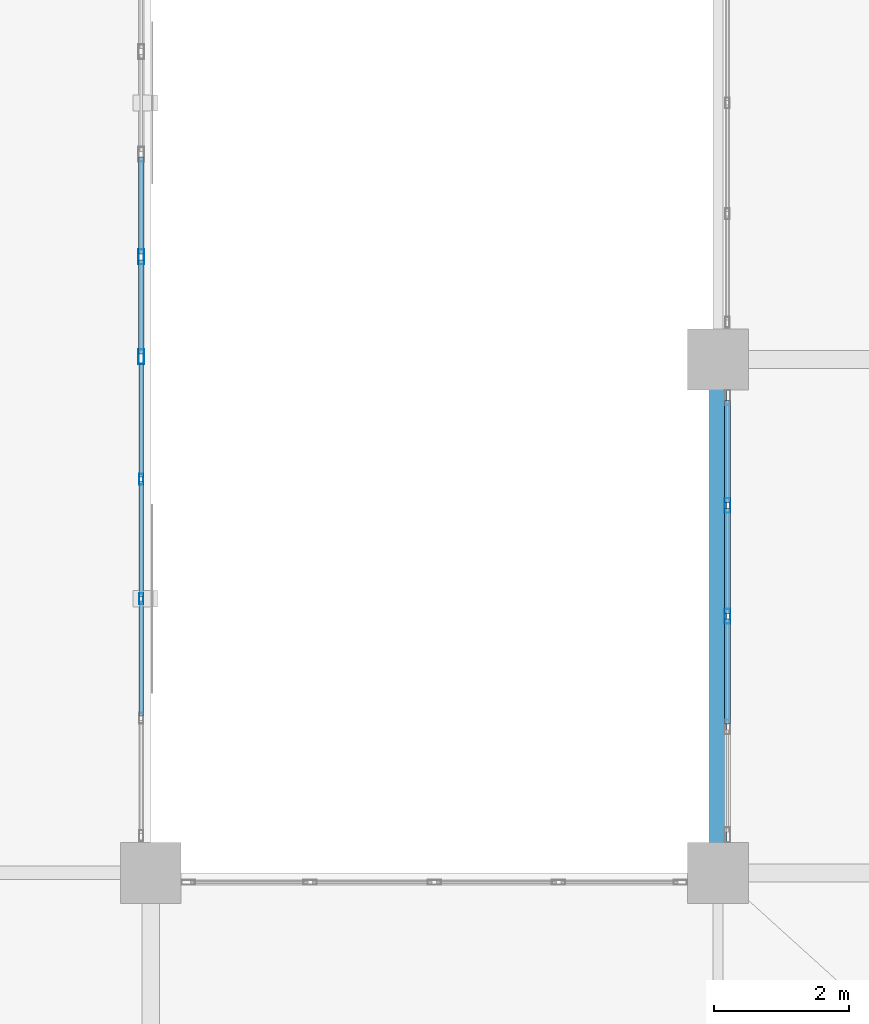
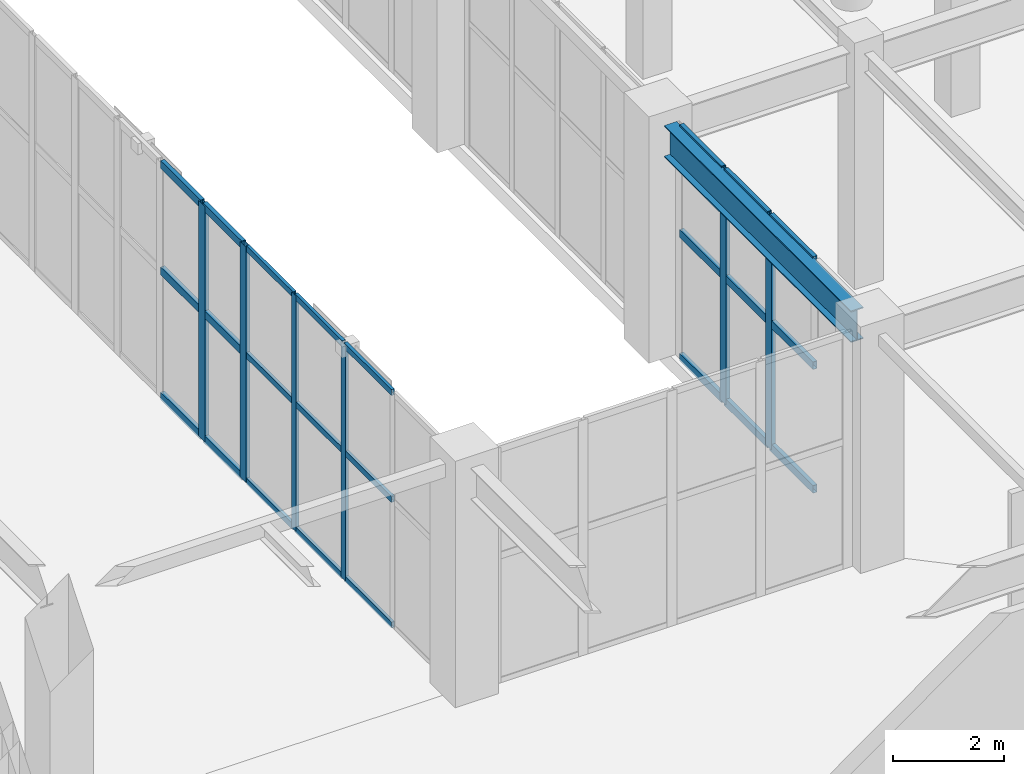
# One storey, part 24 of 139: 30 members, 1 beam, 3 elements without a shape of their own.
"""IFC4 building model written with IfcOpenShell, lengths in metres."""

import ifcopenshell
import ifcopenshell.guid

model = None  # the IFC model being written
_history = None  # IfcOwnerHistory: only IFC2X3 demands one
_inside = {}  # id of a spatial element -> (the spatial element, [elements in it])
_under = {}  # id of a project, library or spatial element -> (it, [spatial elements below it])
_declared = {}  # id of a project -> (the project, [libraries it declares])
_typed = {}  # id of a type object -> (the type object, [elements of that type])
_made_of = {}  # id of a material, layer set ... -> (it, [elements and type objects made of it])


def new_model(schema):
    """Start an empty IFC model of exactly this schema.

    Asked for "IFC4X3", IfcOpenShell would pick the latest addendum, in which some entities
    have other attributes; the version numbers below select the first issue.
    IFC2X3 requires an IfcOwnerHistory on every rooted entity: one is made here for all.
    """
    global model, _history
    if schema == "IFC4X3":
        model = ifcopenshell.file(schema_version=(4, 3, 0, 0))
    else:
        model = ifcopenshell.file(schema=schema)
    _inside.clear()
    _under.clear()
    _declared.clear()
    _typed.clear()
    _made_of.clear()
    _history = None
    if model.schema == "IFC2X3":
        org = make("IfcOrganization", Name="unknown")
        user = make(
            "IfcPersonAndOrganization",
            ThePerson=make("IfcPerson", FamilyName="unknown"),
            TheOrganization=org,
        )
        app = make(
            "IfcApplication",
            ApplicationDeveloper=org,
            Version="unknown",
            ApplicationFullName="unknown",
            ApplicationIdentifier="unknown",
        )
        _history = make(
            "IfcOwnerHistory",
            OwningUser=user,
            OwningApplication=app,
            ChangeAction="ADDED",
            CreationDate=0,
        )
    return model


def make(cls, **values):
    """One entity of the class cls with the attributes given. An attribute that is None is left unset."""
    return model.create_entity(
        cls, **{name: value for name, value in values.items() if value is not None}
    )


def rooted(cls, **values):
    """An entity with a GlobalId (a new one), such as an element, a storey or a relation."""
    return make(cls, GlobalId=ifcopenshell.guid.new(), OwnerHistory=_history, **values)


def si_unit(unit_type, name, prefix=None):
    """IfcSIUnit, for example si_unit("LENGTHUNIT", "METRE", prefix="MILLI")."""
    return make("IfcSIUnit", UnitType=unit_type, Prefix=prefix, Name=name)


def assignment(units):
    """IfcUnitAssignment: the units of a project."""
    return None if units is None else make("IfcUnitAssignment", Units=units)


def point(xyz):
    """IfcCartesianPoint."""
    return None if xyz is None else make("IfcCartesianPoint", Coordinates=xyz)


def direction(xyz):
    """IfcDirection."""
    return None if xyz is None else make("IfcDirection", DirectionRatios=xyz)


def frame(location, z_axis=None, x_axis=None):
    """IfcAxis2Placement3D, a coordinate frame: its origin and axes. An axis left out is left unset."""
    return make(
        "IfcAxis2Placement3D",
        Location=point(location),
        Axis=direction(z_axis),
        RefDirection=direction(x_axis),
    )


def frame_2d(location, x_axis=None):
    """IfcAxis2Placement2D, a coordinate frame in the plane: its origin and x axis."""
    return make(
        "IfcAxis2Placement2D", Location=point(location), RefDirection=direction(x_axis)
    )


def origin():
    """The frame at (0, 0, 0) with its axes left unset."""
    return frame((0.0, 0.0, 0.0))


def origin_2d():
    """The frame at (0, 0) in the plane with its x axis left unset."""
    return frame_2d((0.0, 0.0))


def place(relative_to, where):
    """IfcLocalPlacement: puts the frame where relative to a parent placement (None: the world)."""
    return make(
        "IfcLocalPlacement", PlacementRelTo=relative_to, RelativePlacement=where
    )


def context(
    kind, dimensions, precision=None, world=None, true_north=None, identifier=None
):
    """IfcGeometricRepresentationContext, for example the 3D "Model" context."""
    return make(
        "IfcGeometricRepresentationContext",
        ContextIdentifier=identifier,
        ContextType=kind,
        CoordinateSpaceDimension=dimensions,
        Precision=precision,
        WorldCoordinateSystem=world,
        TrueNorth=true_north,
    )


def subcontext(parent, identifier, kind, view, scale=None):
    """IfcGeometricRepresentationSubContext, for example "Body" below "Model"."""
    return make(
        "IfcGeometricRepresentationSubContext",
        ContextIdentifier=identifier,
        ContextType=kind,
        ParentContext=parent,
        TargetScale=scale,
        TargetView=view,
    )


def project(units=None, contexts=None):
    """IfcProject with its units and contexts."""
    return rooted(
        "IfcProject",
        Name="project",
        RepresentationContexts=contexts,
        UnitsInContext=assignment(units),
    )


def spatial(cls, under=None, at=None, **own):
    """A site, building, storey or space (cls), placed at a placement, below another one or the project."""
    s = rooted(cls, ObjectPlacement=at, **own)
    if under is not None:
        _under.setdefault(under.id(), (under, []))[1].append(s)
    return s


def profile(cls, at=None, kind="AREA", **sizes):
    """A parametric profile (cls). Its sizes go by their IFC names, for example OverallWidth=200.0."""
    return make(cls, ProfileType=kind, Position=at, **sizes)


def hollow_rectangle(**sizes):
    """IfcRectangleHollowProfileDef."""
    return profile("IfcRectangleHollowProfileDef", **sizes)


def i_section(**sizes):
    """IfcIShapeProfileDef."""
    return profile("IfcIShapeProfileDef", **sizes)


def extrude(swept, where, along, depth):
    """IfcExtrudedAreaSolid: the profile swept, set in the frame where, extruded along a direction by depth."""
    return make(
        "IfcExtrudedAreaSolid",
        SweptArea=swept,
        Position=where,
        ExtrudedDirection=direction(along),
        Depth=depth,
    )


def shape(context_of_items, identifier, shape_type, items):
    """IfcShapeRepresentation: the items that make up one representation, for example the "Body"."""
    return make(
        "IfcShapeRepresentation",
        ContextOfItems=context_of_items,
        RepresentationIdentifier=identifier,
        RepresentationType=shape_type,
        Items=items,
    )


def material(Name=None, Category=None):
    """IfcMaterial."""
    return make("IfcMaterial", Name=Name, Category=Category)


def layer(
    of_material, thickness, ventilated=None, Name=None, Category=None, Priority=None
):
    """IfcMaterialLayer: one layer of a wall or slab, of a material (None: an air gap)."""
    return make(
        "IfcMaterialLayer",
        Material=of_material,
        LayerThickness=thickness,
        IsVentilated=ventilated,
        Name=Name,
        Category=Category,
        Priority=Priority,
    )


def layer_set(layers, Name=None):
    """IfcMaterialLayerSet."""
    return make("IfcMaterialLayerSet", MaterialLayers=layers, LayerSetName=Name)


def material_profile(
    of_material, cross_section, Name=None, Category=None, Priority=None
):
    """IfcMaterialProfile: a cross section and its material."""
    return make(
        "IfcMaterialProfile",
        Name=Name,
        Material=of_material,
        Profile=cross_section,
        Priority=Priority,
        Category=Category,
    )


def profile_set(profiles, Name=None, composite=None):
    """IfcMaterialProfileSet."""
    return make(
        "IfcMaterialProfileSet",
        Name=Name,
        MaterialProfiles=profiles,
        CompositeProfile=composite,
    )


def made_of(thing, what):
    """Note that an element or type object is made of a material, layer set ...; save() writes the relation."""
    if what is not None:
        _made_of.setdefault(what.id(), (what, []))[1].append(thing)
    return thing


def type_object(cls, material=None, **own):
    """A type object (cls), such as IfcWallType, which elements share."""
    return made_of(rooted(cls, **own), material)


def element(
    cls,
    number,
    at=None,
    inside=None,
    cuts=None,
    type_object=None,
    material=None,
    context=None,
    identifier="Body",
    shape_type=None,
    held_by="IfcProductDefinitionShape",
    body=None,
    shapes=None,
    **own,
):
    """One element of the class cls, such as IfcWall. Its Tag is "e" and its number.

    at: its placement. inside: the storey or other place that contains it. cuts: it is an
    opening in that element (IfcRelVoidsElement). A single representation is given by context,
    identifier, shape_type and body (its items); several are given by shapes. held_by: the class
    of the entity that holds the representations. save() writes the other relations.
    """
    e = rooted(cls, Tag="e%d" % number, ObjectPlacement=at, **own)
    if body is not None:
        shapes = [shape(context, identifier, shape_type, body)]
    if shapes is not None:
        e.Representation = make(held_by, Representations=shapes)
    if inside is not None:
        _inside.setdefault(inside.id(), (inside, []))[1].append(e)
    if cuts is not None:
        rooted(
            "IfcRelVoidsElement", RelatingBuildingElement=cuts, RelatedOpeningElement=e
        )
    if type_object is not None:
        _typed.setdefault(type_object.id(), (type_object, []))[1].append(e)
    return made_of(e, material)


def aggregate(whole, parts):
    """IfcRelAggregates: a whole, such as a stair, and the parts it consists of."""
    return rooted("IfcRelAggregates", RelatingObject=whole, RelatedObjects=parts)


def save(model, path):
    """Write the relations noted so far, then the file.

    IfcRelAggregates (storeys below a building ...), IfcRelContainedInSpatialStructure (elements
    in a storey), IfcRelDefinesByType, IfcRelAssociatesMaterial and IfcRelDeclares: one each for
    every whole, place, type object, material and project.
    """
    for whole, parts in _under.values():
        aggregate(whole, parts)
    for where, things in _inside.values():
        rooted(
            "IfcRelContainedInSpatialStructure",
            RelatedElements=things,
            RelatingStructure=where,
        )
    for kind, things in _typed.values():
        rooted("IfcRelDefinesByType", RelatedObjects=things, RelatingType=kind)
    for what, things in _made_of.values():
        rooted("IfcRelAssociatesMaterial", RelatedObjects=things, RelatingMaterial=what)
    for by, libraries in _declared.values():
        rooted("IfcRelDeclares", RelatingContext=by, RelatedDefinitions=libraries)
    model.write(path)


model = new_model("IFC4")

# Units and contexts
model_context = context("Model", 3, precision=1e-05, world=origin(), true_north=direction((0.0, 1.0)))
body_context = subcontext(model_context, "Body", "Model", "MODEL_VIEW")
ifc_project = project(units=[si_unit("LENGTHUNIT", "METRE"), si_unit("AREAUNIT", "SQUARE_METRE"), si_unit("VOLUMEUNIT", "CUBIC_METRE"), si_unit("PLANEANGLEUNIT", "RADIAN"), si_unit("MASSUNIT", "GRAM", prefix="KILO")], contexts=[model_context])

# Site, building, storey
site_placement = place(None, origin())
site = spatial("IfcSite", under=ifc_project, at=site_placement, CompositionType="ELEMENT")
building_placement = place(site_placement, origin())
building = spatial("IfcBuilding", under=site, at=building_placement, Name="Xicomal Pleat Aquarium", CompositionType="ELEMENT")
storey_placement = place(building_placement, origin())
storey = spatial("IfcBuildingStorey", under=building, at=storey_placement, Name="L01", CompositionType="ELEMENT", Elevation=0.0)

# Beam
ifc_material_1 = material(Name="Structural steel A992 Gr 50", Category="steel")
ifc_material_profile_1 = material_profile(ifc_material_1, i_section(OverallWidth=0.256103515625, OverallDepth=0.693115234375, WebThickness=0.014404296875, FlangeThickness=0.023681640625, at=origin_2d()), Name="IR 690x170")
ifc_profile_set_1 = profile_set([ifc_material_profile_1], Name="Structural steel A992 Gr 50")
beam_type = type_object("IfcBeamType", Name="BM-STL-IR690", PredefinedType="BEAM", material=ifc_profile_set_1)
beam_placement = place(storey_placement, frame((43.800048828125, 38.445068359375, 4.75341796875), z_axis=(0.0, 1.0, 0.0), x_axis=(-1.0, 0.0, 0.0)))
element("IfcBeam", 1, at=beam_placement, inside=storey, type_object=beam_type, Name="L01 framing beam FGY-L01-06-F-G", PredefinedType="BEAM", context=body_context, shape_type="SweptSolid", body=[
    extrude(i_section(OverallWidth=0.256103515625, OverallDepth=0.693115234375, WebThickness=0.014404296875, FlangeThickness=0.023681640625, at=origin_2d()), origin(), (0.0, 0.0, 1.0), 6.7099609375),
])

# Curtain wall, members
ifc_material_2 = material(Name="Bronze anodized aluminium 6063-T6", Category="aluminium")
ifc_layer_1 = layer(ifc_material_2, 0.159912109375)
ifc_layer_set_1 = layer_set([ifc_layer_1], Name="Bronze anodized aluminium 6063-T6")
curtain_wall_type_1 = type_object("IfcCurtainWallType", Name="CW-SYS-01", PredefinedType="NOTDEFINED", material=ifc_layer_set_1)
curtain_wall_1_placement = place(storey_placement, origin())
curtain_wall_1 = element("IfcCurtainWall", 2, at=curtain_wall_1_placement, inside=storey, type_object=curtain_wall_type_1, Name="L01 unitised curtain wall CW-L01-027", PredefinedType="NOTDEFINED")
ifc_material_3 = material(Name="Bronze anodized aluminium 6063-T6", Category="aluminium")
ifc_material_profile_2 = material_profile(ifc_material_3, hollow_rectangle(XDim=0.06494140625, YDim=0.159912109375, WallThickness=0.00390625, at=origin_2d()), Name="ALU MULL 65x160")
ifc_profile_set_2 = profile_set([ifc_material_profile_2], Name="Bronze anodized aluminium 6063-T6")
member_type_1 = type_object("IfcMemberType", Name="CWM-65x160", PredefinedType="MULLION", material=ifc_profile_set_2)
member_1_placement = place(storey_placement, frame((35.260009765625, 43.830078125, 0.0), z_axis=(0.0, 0.0, 1.0), x_axis=(1.0, 0.0, 0.0)))
member_1 = element("IfcMember", 3, at=member_1_placement, type_object=member_type_1, Name="CW-01 mullion 2", PredefinedType="MULLION", context=body_context, shape_type="SweptSolid", body=[
    extrude(hollow_rectangle(XDim=0.06494140625, YDim=0.159912109375, WallThickness=0.00390625, at=origin_2d()), origin(), (0.0, 0.0, 1.0), 5.159912109375),
])
member_2_placement = place(storey_placement, frame((35.260009765625, 42.06005859375, 0.0), z_axis=(0.0, 0.0, 1.0), x_axis=(1.0, 0.0, 0.0)))
member_2 = element("IfcMember", 4, at=member_2_placement, type_object=member_type_1, Name="CW-01 mullion 3", PredefinedType="MULLION", context=body_context, shape_type="SweptSolid", body=[
    extrude(hollow_rectangle(XDim=0.06494140625, YDim=0.159912109375, WallThickness=0.00390625, at=origin_2d()), origin(), (0.0, 0.0, 1.0), 5.159912109375),
])

ifc_material_4 = material(Name="Bronze anodized aluminium 6063-T6", Category="aluminium")
ifc_layer_2 = layer(ifc_material_4, 0.159912109375)
ifc_layer_set_2 = layer_set([ifc_layer_2], Name="Bronze anodized aluminium 6063-T6")
curtain_wall_type_2 = type_object("IfcCurtainWallType", Name="CW-SYS-11", PredefinedType="NOTDEFINED", material=ifc_layer_set_2)
curtain_wall_2_placement = place(storey_placement, origin())
curtain_wall_2 = element("IfcCurtainWall", 5, at=curtain_wall_2_placement, inside=storey, type_object=curtain_wall_type_2, Name="L01 unitised curtain wall CW-L01-026", PredefinedType="NOTDEFINED")
ifc_material_5 = material(Name="Bronze anodized aluminium 6063-T6", Category="aluminium")
ifc_material_profile_3 = material_profile(ifc_material_5, hollow_rectangle(XDim=0.0849609375, YDim=0.219970703125, WallThickness=0.0048828125, at=origin_2d()), Name="ALU MULL 85x220")
ifc_profile_set_3 = profile_set([ifc_material_profile_3], Name="Bronze anodized aluminium 6063-T6")
member_type_2 = type_object("IfcMemberType", Name="CWM-85x220", PredefinedType="MULLION", material=ifc_profile_set_3)
member_3_placement = place(storey_placement, frame((35.260009765625, 47.1201171875, 0.0), z_axis=(0.0, 0.0, 1.0), x_axis=(1.0, 0.0, 0.0)))
member_3 = element("IfcMember", 6, at=member_3_placement, type_object=member_type_2, Name="CW-11 mullion 5", PredefinedType="MULLION", context=body_context, shape_type="SweptSolid", body=[
    extrude(hollow_rectangle(XDim=0.0849609375, YDim=0.219970703125, WallThickness=0.0048828125, at=origin_2d()), origin(), (0.0, 0.0, 1.0), 5.159912109375),
])
member_4_placement = place(storey_placement, frame((35.260009765625, 45.642578125, 0.0), z_axis=(0.0, 0.0, 1.0), x_axis=(1.0, 0.0, 0.0)))
member_4 = element("IfcMember", 7, at=member_4_placement, type_object=member_type_2, Name="CW-11 mullion 6", PredefinedType="MULLION", context=body_context, shape_type="SweptSolid", body=[
    extrude(hollow_rectangle(XDim=0.0849609375, YDim=0.219970703125, WallThickness=0.0048828125, at=origin_2d()), origin(), (0.0, 0.0, 1.0), 5.159912109375),
])

curtain_wall_3_placement = place(storey_placement, origin())
curtain_wall_3 = element("IfcCurtainWall", 8, at=curtain_wall_3_placement, inside=storey, type_object=curtain_wall_type_2, Name="L01 unitised curtain wall CW-L01-029", PredefinedType="NOTDEFINED")
member_5_placement = place(storey_placement, frame((43.93994140625, 41.800048828125, 0.0), z_axis=(0.0, 0.0, 1.0), x_axis=(-1.0, 0.0, 0.0)))
member_5 = element("IfcMember", 9, at=member_5_placement, type_object=member_type_2, Name="CW-11 mullion 3", PredefinedType="MULLION", context=body_context, shape_type="SweptSolid", body=[
    extrude(hollow_rectangle(XDim=0.0849609375, YDim=0.219970703125, WallThickness=0.0048828125, at=origin_2d()), origin(), (0.0, 0.0, 1.0), 5.10009765625),
])
member_6_placement = place(storey_placement, frame((43.93994140625, 43.43994140625, 0.0), z_axis=(0.0, 0.0, 1.0), x_axis=(-1.0, 0.0, 0.0)))
member_6 = element("IfcMember", 10, at=member_6_placement, type_object=member_type_2, Name="CW-11 mullion 4", PredefinedType="MULLION", context=body_context, shape_type="SweptSolid", body=[
    extrude(hollow_rectangle(XDim=0.0849609375, YDim=0.219970703125, WallThickness=0.0048828125, at=origin_2d()), origin(), (0.0, 0.0, 1.0), 5.10009765625),
])

# Member
ifc_material_6 = material(Name="Bronze anodized aluminium 6063-T6", Category="aluminium")
ifc_material_profile_4 = material_profile(ifc_material_6, hollow_rectangle(XDim=0.06494140625, YDim=0.1298828125, WallThickness=0.00390625, at=origin_2d()), Name="ALU TRAN 65x130")
ifc_profile_set_4 = profile_set([ifc_material_profile_4], Name="Bronze anodized aluminium 6063-T6")
member_type_3 = type_object("IfcMemberType", Name="CWT-65x130", PredefinedType="USERDEFINED", material=ifc_profile_set_4)
member_7_placement = place(storey_placement, frame((35.260009765625, 45.534912109375, 0.032470703125), z_axis=(0.0, -1.0, 0.0), x_axis=(1.0, 0.0, 0.0)))
member_7 = element("IfcMember", 11, at=member_7_placement, type_object=member_type_3, Name="CW-01 transom 1.1", ObjectType="TRANSOM", PredefinedType="USERDEFINED", context=body_context, shape_type="SweptSolid", body=[
    extrude(hollow_rectangle(XDim=0.06494140625, YDim=0.1298828125, WallThickness=0.00390625, at=origin_2d()), origin(), (0.0, 0.0, 1.0), 1.67236328125),
])

member_8_placement = place(storey_placement, frame((35.260009765625, 45.534912109375, 2.785888671875), z_axis=(0.0, -1.0, 0.0), x_axis=(1.0, 0.0, 0.0)))
member_8 = element("IfcMember", 12, at=member_8_placement, type_object=member_type_3, Name="CW-01 transom 1.2", ObjectType="TRANSOM", PredefinedType="USERDEFINED", context=body_context, shape_type="SweptSolid", body=[
    extrude(hollow_rectangle(XDim=0.06494140625, YDim=0.1298828125, WallThickness=0.00390625, at=origin_2d()), origin(), (0.0, 0.0, 1.0), 1.67236328125),
])

member_9_placement = place(storey_placement, frame((35.260009765625, 45.534912109375, 5.12744140625), z_axis=(0.0, -1.0, 0.0), x_axis=(1.0, 0.0, 0.0)))
member_9 = element("IfcMember", 13, at=member_9_placement, type_object=member_type_3, Name="CW-01 transom 1.3", ObjectType="TRANSOM", PredefinedType="USERDEFINED", context=body_context, shape_type="SweptSolid", body=[
    extrude(hollow_rectangle(XDim=0.06494140625, YDim=0.1298828125, WallThickness=0.00390625, at=origin_2d()), origin(), (0.0, 0.0, 1.0), 1.67236328125),
])

member_10_placement = place(storey_placement, frame((35.260009765625, 43.797607421875, 0.032470703125), z_axis=(0.0, -1.0, 0.0), x_axis=(1.0, 0.0, 0.0)))
member_10 = element("IfcMember", 14, at=member_10_placement, type_object=member_type_3, Name="CW-01 transom 2.1", ObjectType="TRANSOM", PredefinedType="USERDEFINED", context=body_context, shape_type="SweptSolid", body=[
    extrude(hollow_rectangle(XDim=0.06494140625, YDim=0.1298828125, WallThickness=0.00390625, at=origin_2d()), origin(), (0.0, 0.0, 1.0), 1.705078125),
])

member_11_placement = place(storey_placement, frame((35.260009765625, 43.797607421875, 2.785888671875), z_axis=(0.0, -1.0, 0.0), x_axis=(1.0, 0.0, 0.0)))
member_11 = element("IfcMember", 15, at=member_11_placement, type_object=member_type_3, Name="CW-01 transom 2.2", ObjectType="TRANSOM", PredefinedType="USERDEFINED", context=body_context, shape_type="SweptSolid", body=[
    extrude(hollow_rectangle(XDim=0.06494140625, YDim=0.1298828125, WallThickness=0.00390625, at=origin_2d()), origin(), (0.0, 0.0, 1.0), 1.705078125),
])

member_12_placement = place(storey_placement, frame((35.260009765625, 43.797607421875, 5.12744140625), z_axis=(0.0, -1.0, 0.0), x_axis=(1.0, 0.0, 0.0)))
member_12 = element("IfcMember", 16, at=member_12_placement, type_object=member_type_3, Name="CW-01 transom 2.3", ObjectType="TRANSOM", PredefinedType="USERDEFINED", context=body_context, shape_type="SweptSolid", body=[
    extrude(hollow_rectangle(XDim=0.06494140625, YDim=0.1298828125, WallThickness=0.00390625, at=origin_2d()), origin(), (0.0, 0.0, 1.0), 1.705078125),
])

member_13_placement = place(storey_placement, frame((35.260009765625, 42.027587890625, 0.032470703125), z_axis=(0.0, -1.0, 0.0), x_axis=(1.0, 0.0, 0.0)))
member_13 = element("IfcMember", 17, at=member_13_placement, type_object=member_type_3, Name="CW-01 transom 3.1", ObjectType="TRANSOM", PredefinedType="USERDEFINED", context=body_context, shape_type="SweptSolid", body=[
    extrude(hollow_rectangle(XDim=0.06494140625, YDim=0.1298828125, WallThickness=0.00390625, at=origin_2d()), origin(), (0.0, 0.0, 1.0), 1.705078125),
])

member_14_placement = place(storey_placement, frame((35.260009765625, 42.027587890625, 2.785888671875), z_axis=(0.0, -1.0, 0.0), x_axis=(1.0, 0.0, 0.0)))
member_14 = element("IfcMember", 18, at=member_14_placement, type_object=member_type_3, Name="CW-01 transom 3.2", ObjectType="TRANSOM", PredefinedType="USERDEFINED", context=body_context, shape_type="SweptSolid", body=[
    extrude(hollow_rectangle(XDim=0.06494140625, YDim=0.1298828125, WallThickness=0.00390625, at=origin_2d()), origin(), (0.0, 0.0, 1.0), 1.705078125),
])

member_15_placement = place(storey_placement, frame((35.260009765625, 42.027587890625, 5.12744140625), z_axis=(0.0, -1.0, 0.0), x_axis=(1.0, 0.0, 0.0)))
member_15 = element("IfcMember", 19, at=member_15_placement, type_object=member_type_3, Name="CW-01 transom 3.3", ObjectType="TRANSOM", PredefinedType="USERDEFINED", context=body_context, shape_type="SweptSolid", body=[
    extrude(hollow_rectangle(XDim=0.06494140625, YDim=0.1298828125, WallThickness=0.00390625, at=origin_2d()), origin(), (0.0, 0.0, 1.0), 1.705078125),
])

aggregate(curtain_wall_1, [member_1, member_2, member_7, member_8, member_9, member_10, member_11, member_12, member_13, member_14, member_15])

ifc_material_7 = material(Name="Bronze anodized aluminium 6063-T6", Category="aluminium")
ifc_material_profile_5 = material_profile(ifc_material_7, hollow_rectangle(XDim=0.0849609375, YDim=0.169921875, WallThickness=0.0048828125, at=origin_2d()), Name="ALU TRAN 85x170")
ifc_profile_set_5 = profile_set([ifc_material_profile_5], Name="Bronze anodized aluminium 6063-T6")
member_type_4 = type_object("IfcMemberType", Name="CWT-85x170", PredefinedType="USERDEFINED", material=ifc_profile_set_5)
member_16_placement = place(storey_placement, frame((35.260009765625, 48.597412109375, 0.04248046875), z_axis=(0.0, -1.0, 0.0), x_axis=(1.0, 0.0, 0.0)))
member_16 = element("IfcMember", 20, at=member_16_placement, type_object=member_type_4, Name="CW-11 transom 4.1", ObjectType="TRANSOM", PredefinedType="USERDEFINED", context=body_context, shape_type="SweptSolid", body=[
    extrude(hollow_rectangle(XDim=0.0849609375, YDim=0.169921875, WallThickness=0.0048828125, at=origin_2d()), origin(), (0.0, 0.0, 1.0), 1.434814453125),
])

member_17_placement = place(storey_placement, frame((35.260009765625, 48.597412109375, 2.785888671875), z_axis=(0.0, -1.0, 0.0), x_axis=(1.0, 0.0, 0.0)))
member_17 = element("IfcMember", 21, at=member_17_placement, type_object=member_type_4, Name="CW-11 transom 4.2", ObjectType="TRANSOM", PredefinedType="USERDEFINED", context=body_context, shape_type="SweptSolid", body=[
    extrude(hollow_rectangle(XDim=0.0849609375, YDim=0.169921875, WallThickness=0.0048828125, at=origin_2d()), origin(), (0.0, 0.0, 1.0), 1.434814453125),
])

member_18_placement = place(storey_placement, frame((35.260009765625, 48.597412109375, 5.117431640625), z_axis=(0.0, -1.0, 0.0), x_axis=(1.0, 0.0, 0.0)))
member_18 = element("IfcMember", 22, at=member_18_placement, type_object=member_type_4, Name="CW-11 transom 4.3", ObjectType="TRANSOM", PredefinedType="USERDEFINED", context=body_context, shape_type="SweptSolid", body=[
    extrude(hollow_rectangle(XDim=0.0849609375, YDim=0.169921875, WallThickness=0.0048828125, at=origin_2d()), origin(), (0.0, 0.0, 1.0), 1.434814453125),
])

member_19_placement = place(storey_placement, frame((35.260009765625, 47.077392578125, 0.04248046875), z_axis=(0.0, -1.0, 0.0), x_axis=(1.0, 0.0, 0.0)))
member_19 = element("IfcMember", 23, at=member_19_placement, type_object=member_type_4, Name="CW-11 transom 5.1", ObjectType="TRANSOM", PredefinedType="USERDEFINED", context=body_context, shape_type="SweptSolid", body=[
    extrude(hollow_rectangle(XDim=0.0849609375, YDim=0.169921875, WallThickness=0.0048828125, at=origin_2d()), origin(), (0.0, 0.0, 1.0), 1.392333984375),
])

member_20_placement = place(storey_placement, frame((35.260009765625, 47.077392578125, 2.785888671875), z_axis=(0.0, -1.0, 0.0), x_axis=(1.0, 0.0, 0.0)))
member_20 = element("IfcMember", 24, at=member_20_placement, type_object=member_type_4, Name="CW-11 transom 5.2", ObjectType="TRANSOM", PredefinedType="USERDEFINED", context=body_context, shape_type="SweptSolid", body=[
    extrude(hollow_rectangle(XDim=0.0849609375, YDim=0.169921875, WallThickness=0.0048828125, at=origin_2d()), origin(), (0.0, 0.0, 1.0), 1.392333984375),
])

member_21_placement = place(storey_placement, frame((35.260009765625, 47.077392578125, 5.117431640625), z_axis=(0.0, -1.0, 0.0), x_axis=(1.0, 0.0, 0.0)))
member_21 = element("IfcMember", 25, at=member_21_placement, type_object=member_type_4, Name="CW-11 transom 5.3", ObjectType="TRANSOM", PredefinedType="USERDEFINED", context=body_context, shape_type="SweptSolid", body=[
    extrude(hollow_rectangle(XDim=0.0849609375, YDim=0.169921875, WallThickness=0.0048828125, at=origin_2d()), origin(), (0.0, 0.0, 1.0), 1.392333984375),
])

aggregate(curtain_wall_2, [member_3, member_4, member_16, member_17, member_18, member_19, member_20, member_21])

member_22_placement = place(storey_placement, frame((43.93994140625, 40.202392578125, 0.04248046875), z_axis=(0.0, 1.0, 0.0), x_axis=(-1.0, 0.0, 0.0)))
member_22 = element("IfcMember", 26, at=member_22_placement, type_object=member_type_4, Name="CW-11 transom 2.1", ObjectType="TRANSOM", PredefinedType="USERDEFINED", context=body_context, shape_type="SweptSolid", body=[
    extrude(hollow_rectangle(XDim=0.0849609375, YDim=0.169921875, WallThickness=0.0048828125, at=origin_2d()), origin(), (0.0, 0.0, 1.0), 1.55517578125),
])

member_23_placement = place(storey_placement, frame((43.93994140625, 40.202392578125, 2.75390625), z_axis=(0.0, 1.0, 0.0), x_axis=(-1.0, 0.0, 0.0)))
member_23 = element("IfcMember", 27, at=member_23_placement, type_object=member_type_4, Name="CW-11 transom 2.2", ObjectType="TRANSOM", PredefinedType="USERDEFINED", context=body_context, shape_type="SweptSolid", body=[
    extrude(hollow_rectangle(XDim=0.0849609375, YDim=0.169921875, WallThickness=0.0048828125, at=origin_2d()), origin(), (0.0, 0.0, 1.0), 1.55517578125),
])

member_24_placement = place(storey_placement, frame((43.93994140625, 40.202392578125, 5.0576171875), z_axis=(0.0, 1.0, 0.0), x_axis=(-1.0, 0.0, 0.0)))
member_24 = element("IfcMember", 28, at=member_24_placement, type_object=member_type_4, Name="CW-11 transom 2.3", ObjectType="TRANSOM", PredefinedType="USERDEFINED", context=body_context, shape_type="SweptSolid", body=[
    extrude(hollow_rectangle(XDim=0.0849609375, YDim=0.169921875, WallThickness=0.0048828125, at=origin_2d()), origin(), (0.0, 0.0, 1.0), 1.55517578125),
])

member_25_placement = place(storey_placement, frame((43.93994140625, 41.842529296875, 0.04248046875), z_axis=(0.0, 1.0, 0.0), x_axis=(-1.0, 0.0, 0.0)))
member_25 = element("IfcMember", 29, at=member_25_placement, type_object=member_type_4, Name="CW-11 transom 3.1", ObjectType="TRANSOM", PredefinedType="USERDEFINED", context=body_context, shape_type="SweptSolid", body=[
    extrude(hollow_rectangle(XDim=0.0849609375, YDim=0.169921875, WallThickness=0.0048828125, at=origin_2d()), origin(), (0.0, 0.0, 1.0), 1.554931640625),
])

member_26_placement = place(storey_placement, frame((43.93994140625, 41.842529296875, 2.75390625), z_axis=(0.0, 1.0, 0.0), x_axis=(-1.0, 0.0, 0.0)))
member_26 = element("IfcMember", 30, at=member_26_placement, type_object=member_type_4, Name="CW-11 transom 3.2", ObjectType="TRANSOM", PredefinedType="USERDEFINED", context=body_context, shape_type="SweptSolid", body=[
    extrude(hollow_rectangle(XDim=0.0849609375, YDim=0.169921875, WallThickness=0.0048828125, at=origin_2d()), origin(), (0.0, 0.0, 1.0), 1.554931640625),
])

member_27_placement = place(storey_placement, frame((43.93994140625, 41.842529296875, 5.0576171875), z_axis=(0.0, 1.0, 0.0), x_axis=(-1.0, 0.0, 0.0)))
member_27 = element("IfcMember", 31, at=member_27_placement, type_object=member_type_4, Name="CW-11 transom 3.3", ObjectType="TRANSOM", PredefinedType="USERDEFINED", context=body_context, shape_type="SweptSolid", body=[
    extrude(hollow_rectangle(XDim=0.0849609375, YDim=0.169921875, WallThickness=0.0048828125, at=origin_2d()), origin(), (0.0, 0.0, 1.0), 1.554931640625),
])

member_28_placement = place(storey_placement, frame((43.93994140625, 43.482421875, 0.04248046875), z_axis=(0.0, 1.0, 0.0), x_axis=(-1.0, 0.0, 0.0)))
member_28 = element("IfcMember", 32, at=member_28_placement, type_object=member_type_4, Name="CW-11 transom 4.1", ObjectType="TRANSOM", PredefinedType="USERDEFINED", context=body_context, shape_type="SweptSolid", body=[
    extrude(hollow_rectangle(XDim=0.0849609375, YDim=0.169921875, WallThickness=0.0048828125, at=origin_2d()), origin(), (0.0, 0.0, 1.0), 1.5126953125),
])

member_29_placement = place(storey_placement, frame((43.93994140625, 43.482421875, 2.75390625), z_axis=(0.0, 1.0, 0.0), x_axis=(-1.0, 0.0, 0.0)))
member_29 = element("IfcMember", 33, at=member_29_placement, type_object=member_type_4, Name="CW-11 transom 4.2", ObjectType="TRANSOM", PredefinedType="USERDEFINED", context=body_context, shape_type="SweptSolid", body=[
    extrude(hollow_rectangle(XDim=0.0849609375, YDim=0.169921875, WallThickness=0.0048828125, at=origin_2d()), origin(), (0.0, 0.0, 1.0), 1.5126953125),
])

member_30_placement = place(storey_placement, frame((43.93994140625, 43.482421875, 5.0576171875), z_axis=(0.0, 1.0, 0.0), x_axis=(-1.0, 0.0, 0.0)))
member_30 = element("IfcMember", 34, at=member_30_placement, type_object=member_type_4, Name="CW-11 transom 4.3", ObjectType="TRANSOM", PredefinedType="USERDEFINED", context=body_context, shape_type="SweptSolid", body=[
    extrude(hollow_rectangle(XDim=0.0849609375, YDim=0.169921875, WallThickness=0.0048828125, at=origin_2d()), origin(), (0.0, 0.0, 1.0), 1.5126953125),
])

aggregate(curtain_wall_3, [member_5, member_6, member_22, member_23, member_24, member_25, member_26, member_27, member_28, member_29, member_30])

save(model, "model.ifc")
